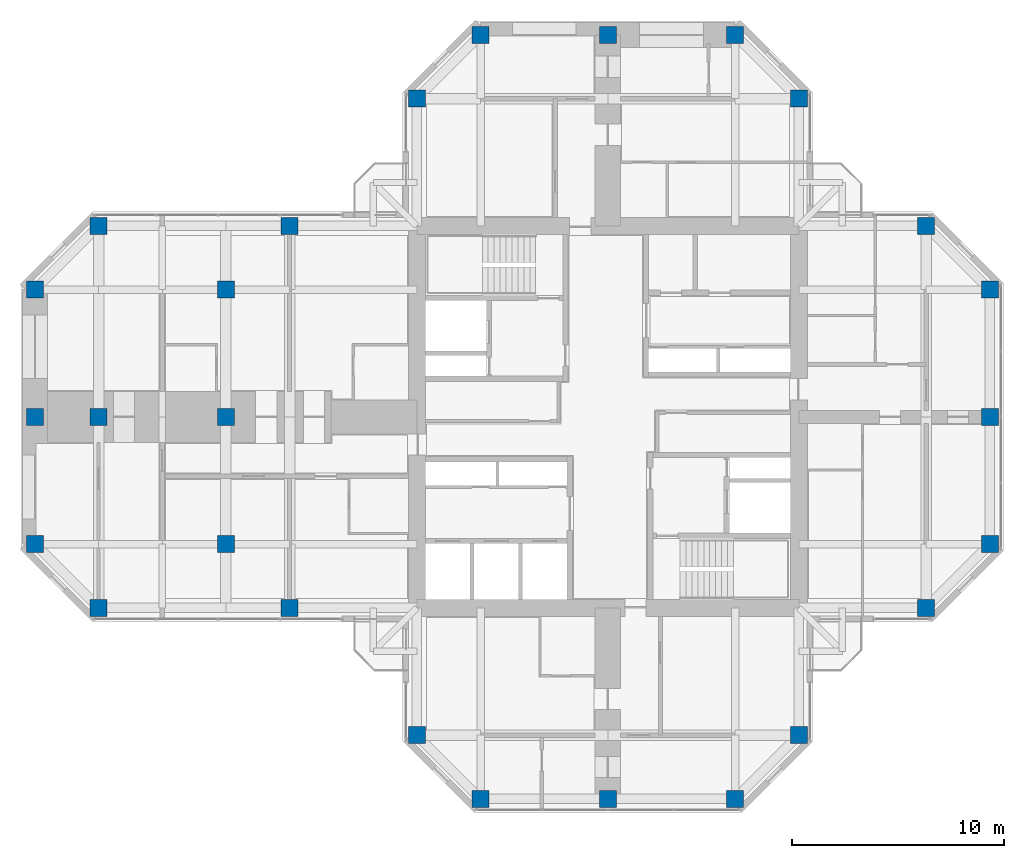
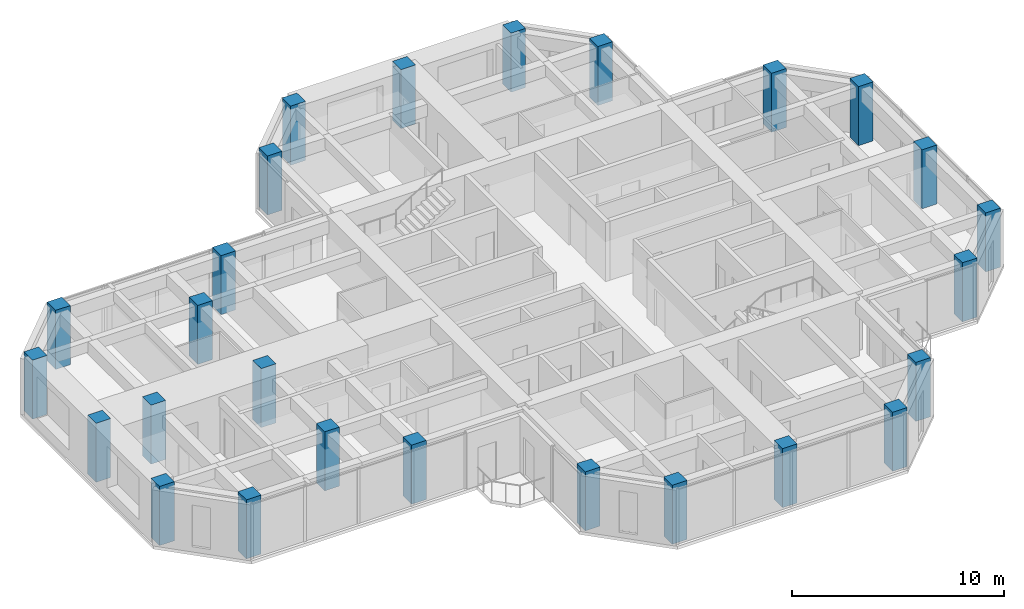
# One storey, part 1 of 13: 26 columns.
"""IFC4 building model written with IfcOpenShell, lengths in metres."""

from ifc_helpers import new_model, si_unit, direction, frame, origin, origin_2d, place, context, subcontext, project, spatial, rectangle, extrude, material, material_profile, profile_set, type_object, element, save


model = new_model("IFC4")

# Units and contexts
model_context = context("Model", 3, precision=1e-05, world=origin(), true_north=direction((0.0, 1.0)))
body_context = subcontext(model_context, "Body", "Model", "MODEL_VIEW")
ifc_project = project(units=[si_unit("LENGTHUNIT", "METRE"), si_unit("AREAUNIT", "SQUARE_METRE"), si_unit("VOLUMEUNIT", "CUBIC_METRE"), si_unit("PLANEANGLEUNIT", "RADIAN"), si_unit("MASSUNIT", "GRAM", prefix="KILO")], contexts=[model_context])

# Site, building, storey
site_placement = place(None, origin())
site = spatial("IfcSite", under=ifc_project, at=site_placement, CompositionType="ELEMENT")
building_placement = place(site_placement, origin())
building = spatial("IfcBuilding", under=site, at=building_placement, Name="Torre Cruceta", CompositionType="ELEMENT")
storey_placement = place(building_placement, frame((0.0, 0.0, 245.89990234375)))
storey = spatial("IfcBuildingStorey", under=building, at=storey_placement, Name="L63", CompositionType="ELEMENT", Elevation=245.89990234375)

# Columns
ifc_material = material(Name="Concrete G60 (fck 60 MPa)", Category="concrete")
ifc_material_profile = material_profile(ifc_material, rectangle(XDim=0.800048828125, YDim=0.800048828125, at=origin_2d()), Name="RC 800X800")
ifc_profile_set = profile_set([ifc_material_profile], Name="Concrete G60 (fck 60 MPa)")
column_type = type_object("IfcColumnType", Name="COLUMN RC 800X800", PredefinedType="COLUMN", material=ifc_profile_set)
for number, where, z_axis, x_axis, name in (
    (1, (9.0, 15.0, 0.0), (0.0, 0.0, 1.0), (1.0, 0.0, 0.0), "C7 L63 N chamfer"),
    (2, (-9.0, 15.0, 0.0), (0.0, 0.0, 1.0), (1.0, 0.0, 0.0), "C7 L63 N chamfer"),
    (3, (6.0, 18.0, 0.0), (0.0, 0.0, 1.0), (1.0, 0.0, 0.0), "C7 L63 N tip"),
    (4, (0.0, 18.0, 0.0), (0.0, 0.0, 1.0), (1.0, 0.0, 0.0), "C7 L63 N tip"),
    (5, (-6.0, 18.0, 0.0), (0.0, 0.0, 1.0), (1.0, 0.0, 0.0), "C7 L63 N tip"),
    (6, (15.0, -9.0, 0.0), (0.0, 0.0, 1.0), (1.0, 0.0, 0.0), "C7 L63 E chamfer"),
    (7, (15.0, 9.0, 0.0), (0.0, 0.0, 1.0), (1.0, 0.0, 0.0), "C7 L63 E chamfer"),
    (8, (18.0, -6.0, 0.0), (0.0, 0.0, 1.0), (1.0, 0.0, 0.0), "C7 L63 E tip"),
    (9, (18.0, 0.0, 0.0), (0.0, 0.0, 1.0), (1.0, 0.0, 0.0), "C7 L63 E tip"),
    (10, (18.0, 6.0, 0.0), (0.0, 0.0, 1.0), (1.0, 0.0, 0.0), "C7 L63 E tip"),
    (11, (-9.0, -15.0, 0.0), (0.0, 0.0, 1.0), (1.0, 0.0, 0.0), "C7 L63 S chamfer"),
    (12, (9.0, -15.0, 0.0), (0.0, 0.0, 1.0), (1.0, 0.0, 0.0), "C7 L63 S chamfer"),
    (13, (-6.0, -18.0, 0.0), (0.0, 0.0, 1.0), (1.0, 0.0, 0.0), "C7 L63 S tip"),
    (14, (0.0, -18.0, 0.0), (0.0, 0.0, 1.0), (1.0, 0.0, 0.0), "C7 L63 S tip"),
    (15, (6.0, -18.0, 0.0), (0.0, 0.0, 1.0), (1.0, 0.0, 0.0), "C7 L63 S tip"),
    (16, (-15.0, 9.0, 0.0), (0.0, 0.0, 1.0), (1.0, 0.0, 0.0), "C7 L63 W side"),
    (17, (-24.0, 9.0, 0.0), (0.0, 0.0, 1.0), (1.0, 0.0, 0.0), "C7 L63 W chamfer"),
    (18, (-15.0, -9.0, 0.0), (0.0, 0.0, 1.0), (1.0, 0.0, 0.0), "C7 L63 W side"),
    (19, (-24.0, -9.0, 0.0), (0.0, 0.0, 1.0), (1.0, 0.0, 0.0), "C7 L63 W chamfer"),
    (20, (-27.0, 6.0, 0.0), (0.0, 0.0, 1.0), (1.0, 0.0, 0.0), "C7 L63 W tip"),
    (21, (-27.0, 0.0, 0.0), (0.0, 0.0, 1.0), (1.0, 0.0, 0.0), "C7 L63 W tip"),
    (22, (-27.0, -6.0, 0.0), (0.0, 0.0, 1.0), (1.0, 0.0, 0.0), "C7 L63 W tip"),
    (23, (-18.0, 6.0, 0.0), (0.0, 0.0, 1.0), (1.0, 0.0, 0.0), "C7 L63 W interior"),
    (24, (-18.0, 0.0, 0.0), (0.0, 0.0, 1.0), (1.0, 0.0, 0.0), "C7 L63 W interior"),
    (25, (-18.0, -6.0, 0.0), (0.0, 0.0, 1.0), (1.0, 0.0, 0.0), "C7 L63 W interior"),
    (26, (-24.0, 0.0, 0.0), (0.0, 0.0, 1.0), (1.0, 0.0, 0.0), "C7 L63 W interior"),
):
    element("IfcColumn", number, at=place(storey_placement, frame(where, z_axis=z_axis, x_axis=x_axis)), inside=storey, type_object=column_type, Name=name, PredefinedType="COLUMN", context=body_context, shape_type="SweptSolid", body=[
        extrude(rectangle(XDim=0.800048828125, YDim=0.800048828125, at=origin_2d()), origin(), (0.0, 0.0, 1.0), 3.400146484375),
    ])

save(model, "model.ifc")
